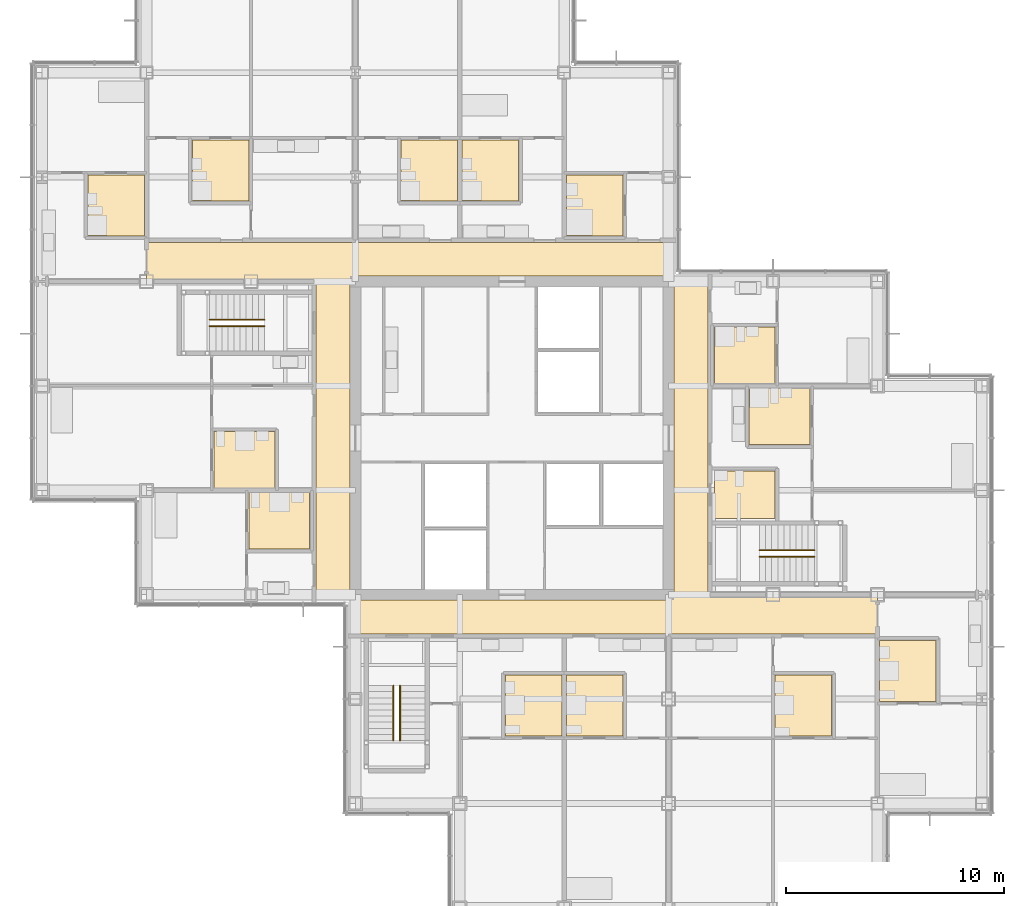
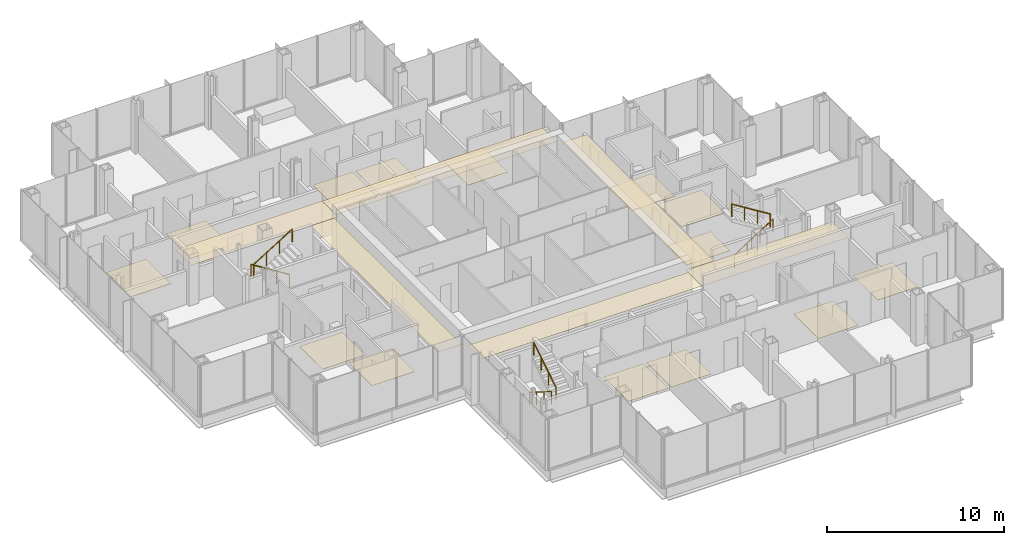
# One storey, part 18 of 20: 20 coverings, 6 railings.
"""IFC4 building model written with IfcOpenShell, lengths in metres."""

from ifc_helpers import new_model, si_unit, direction, frame, origin, origin_2d, place, context, subcontext, project, spatial, polyline, circle, outline, extrude, material, layer, layer_set, type_object, element, save


model = new_model("IFC4")

# Units and contexts
model_context = context("Model", 3, precision=1e-05, world=origin(), true_north=direction((0.0, 1.0)))
body_context = subcontext(model_context, "Body", "Model", "MODEL_VIEW")
ifc_project = project(units=[si_unit("LENGTHUNIT", "METRE"), si_unit("AREAUNIT", "SQUARE_METRE"), si_unit("VOLUMEUNIT", "CUBIC_METRE"), si_unit("PLANEANGLEUNIT", "RADIAN"), si_unit("MASSUNIT", "GRAM", prefix="KILO")], contexts=[model_context])

# Site, building, storey
site_placement = place(None, origin())
site = spatial("IfcSite", under=ifc_project, at=site_placement, CompositionType="ELEMENT")
building_placement = place(site_placement, origin())
building = spatial("IfcBuilding", under=site, at=building_placement, Name="Kvirike Care Tower", CompositionType="ELEMENT")
storey_placement = place(building_placement, frame((0.0, 0.0, 94.5)))
storey = spatial("IfcBuildingStorey", under=building, at=storey_placement, Name="L25", CompositionType="ELEMENT", Elevation=94.5)

# Coverings
ifc_material_1 = material(Name="Perforated metal ceiling tile", Category="aluminium")
ifc_layer_1 = layer(ifc_material_1, 0.014892578125)
ifc_layer_set_1 = layer_set([ifc_layer_1], Name="CORRIDOR CEILING 15")
covering_type_1 = type_object("IfcCoveringType", Name="CORRIDOR CEILING 15", PredefinedType="CEILING", material=ifc_layer_set_1)
covering_1_placement = place(storey_placement, frame((0.0, 0.0, 2.5)))
element("IfcCovering", 1, at=covering_1_placement, inside=storey, type_object=covering_type_1, Name="Corridor ceiling L25", PredefinedType="CEILING", context=body_context, shape_type="SweptSolid", body=[
    extrude(outline(polyline([(12.60009765625, 43.199951171875), (14.14990234375, 43.199951171875), (14.14990234375, 28.800048828125), (12.60009765625, 28.800048828125), (12.60009765625, 43.199951171875)])), origin(), (0.0, 0.0, 1.0), 0.014892578125),
])
covering_2_placement = place(storey_placement, frame((0.0, 0.0, 2.5)))
element("IfcCovering", 2, at=covering_2_placement, inside=storey, type_object=covering_type_1, Name="Corridor ceiling L25", PredefinedType="CEILING", context=body_context, shape_type="SweptSolid", body=[
    extrude(outline(polyline([(14.39990234375, 45.0), (14.39990234375, 43.199951171875), (4.800048828125, 43.199951171875), (4.800048828125, 45.0), (14.39990234375, 45.0)])), origin(), (0.0, 0.0, 1.0), 0.014892578125),
])
covering_3_placement = place(storey_placement, frame((0.0, 0.0, 2.5)))
element("IfcCovering", 3, at=covering_3_placement, inside=storey, type_object=covering_type_1, Name="Corridor ceiling L25", PredefinedType="CEILING", context=body_context, shape_type="SweptSolid", body=[
    extrude(outline(polyline([(14.39990234375, 27.0), (14.39990234375, 28.550048828125), (28.800048828125, 28.550048828125), (28.800048828125, 27.0), (14.39990234375, 27.0)])), origin(), (0.0, 0.0, 1.0), 0.014892578125),
])
covering_4_placement = place(storey_placement, frame((0.0, 0.0, 2.5)))
element("IfcCovering", 4, at=covering_4_placement, inside=storey, type_object=covering_type_1, Name="Corridor ceiling L25", PredefinedType="CEILING", context=body_context, shape_type="SweptSolid", body=[
    extrude(outline(polyline([(28.800048828125, 45.0), (28.800048828125, 43.449951171875), (14.39990234375, 43.449951171875), (14.39990234375, 45.0), (28.800048828125, 45.0)])), origin(), (0.0, 0.0, 1.0), 0.014892578125),
])
covering_5_placement = place(storey_placement, frame((0.0, 0.0, 2.5)))
element("IfcCovering", 5, at=covering_5_placement, inside=storey, type_object=covering_type_1, Name="Corridor ceiling L25", PredefinedType="CEILING", context=body_context, shape_type="SweptSolid", body=[
    extrude(outline(polyline([(28.800048828125, 27.0), (28.800048828125, 28.800048828125), (38.39990234375, 28.800048828125), (38.39990234375, 27.0), (28.800048828125, 27.0)])), origin(), (0.0, 0.0, 1.0), 0.014892578125),
])
covering_6_placement = place(storey_placement, frame((0.0, 0.0, 2.5)))
element("IfcCovering", 6, at=covering_6_placement, inside=storey, type_object=covering_type_1, Name="Corridor ceiling L25", PredefinedType="CEILING", context=body_context, shape_type="SweptSolid", body=[
    extrude(outline(polyline([(30.60009765625, 28.800048828125), (29.050048828125, 28.800048828125), (29.050048828125, 43.199951171875), (30.60009765625, 43.199951171875), (30.60009765625, 28.800048828125)])), origin(), (0.0, 0.0, 1.0), 0.014892578125),
])

# Railings
ifc_material_2 = material(Name="Stainless steel handrail", Category="steel")
railing_type = type_object("IfcRailingType", Name="STAIR HANDRAIL 900", PredefinedType="HANDRAIL", material=ifc_material_2)
railing_1_placement = place(storey_placement, frame((10.219970703125, 41.449951171875, 0.175048828125)))
element("IfcRailing", 7, at=railing_1_placement, inside=storey, type_object=railing_type, Name="Stair 1 handrail L25 flight 1", PredefinedType="HANDRAIL", context=body_context, shape_type="SweptSolid", body=[
    extrude(circle(Radius=0.02490234375, at=origin_2d()), frame((0.0, 0.0, 0.875), z_axis=(-0.848007534815, 0.0, 0.529984170421), x_axis=(0.0, -1.0, 0.0)), (0.0, 0.0, 1.0), 2.9716796875),
    extrude(circle(Radius=0.02001953125, at=origin_2d()), origin(), (0.0, 0.0, 1.0), 0.849853515625),
    extrude(circle(Radius=0.02001953125, at=origin_2d()), frame((-0.840087890625, 0.0, 0.52490234375)), (0.0, 0.0, 1.0), 0.849853515625),
    extrude(circle(Radius=0.02001953125, at=origin_2d()), frame((-1.679931640625, 0.0, 1.050048828125)), (0.0, 0.0, 1.0), 0.849853515625),
    extrude(circle(Radius=0.02001953125, at=origin_2d()), frame((-2.52001953125, 0.0, 1.574951171875)), (0.0, 0.0, 1.0), 0.849853515625),
])
for number, where, name in (
    (8, (7.699951171875, 41.14990234375, 1.925048828125), "Stair 1 handrail L25 flight 2"),
    (9, (32.97998046875, 30.550048828125, 0.175048828125), "Stair 2 handrail L25 flight 1"),
):
    element("IfcRailing", number, at=place(storey_placement, frame(where)), inside=storey, type_object=railing_type, Name=name, PredefinedType="HANDRAIL", context=body_context, shape_type="SweptSolid", body=[
        extrude(circle(Radius=0.02490234375, at=origin_2d()), frame((0.0, 0.0, 0.875), z_axis=(0.848007534815, 0.0, 0.529984170421), x_axis=(0.0, 1.0, 0.0)), (0.0, 0.0, 1.0), 2.9716796875),
        extrude(circle(Radius=0.02001953125, at=origin_2d()), origin(), (0.0, 0.0, 1.0), 0.849853515625),
        extrude(circle(Radius=0.02001953125, at=origin_2d()), frame((0.840087890625, 0.0, 0.52490234375)), (0.0, 0.0, 1.0), 0.849853515625),
        extrude(circle(Radius=0.02001953125, at=origin_2d()), frame((1.679931640625, 0.0, 1.050048828125)), (0.0, 0.0, 1.0), 0.849853515625),
        extrude(circle(Radius=0.02001953125, at=origin_2d()), frame((2.52001953125, 0.0, 1.574951171875)), (0.0, 0.0, 1.0), 0.849853515625),
    ])
railing_2_placement = place(storey_placement, frame((35.5, 30.85009765625, 1.925048828125)))
element("IfcRailing", 10, at=railing_2_placement, inside=storey, type_object=railing_type, Name="Stair 2 handrail L25 flight 2", PredefinedType="HANDRAIL", context=body_context, shape_type="SweptSolid", body=[
    extrude(circle(Radius=0.02490234375, at=origin_2d()), frame((0.0, 0.0, 0.875), z_axis=(-0.848007534815, 0.0, 0.529984170421), x_axis=(0.0, -1.0, 0.0)), (0.0, 0.0, 1.0), 2.9716796875),
    extrude(circle(Radius=0.02001953125, at=origin_2d()), origin(), (0.0, 0.0, 1.0), 0.849853515625),
    extrude(circle(Radius=0.02001953125, at=origin_2d()), frame((-0.840087890625, 0.0, 0.52490234375)), (0.0, 0.0, 1.0), 0.849853515625),
    extrude(circle(Radius=0.02001953125, at=origin_2d()), frame((-1.679931640625, 0.0, 1.050048828125)), (0.0, 0.0, 1.0), 0.849853515625),
    extrude(circle(Radius=0.02001953125, at=origin_2d()), frame((-2.52001953125, 0.0, 1.574951171875)), (0.0, 0.0, 1.0), 0.849853515625),
])
railing_3_placement = place(storey_placement, frame((16.14990234375, 24.6201171875, 0.175048828125)))
element("IfcRailing", 11, at=railing_3_placement, inside=storey, type_object=railing_type, Name="Stair 5 handrail L25 flight 1", PredefinedType="HANDRAIL", context=body_context, shape_type="SweptSolid", body=[
    extrude(circle(Radius=0.02490234375, at=origin_2d()), frame((0.0, 0.0, 0.875), z_axis=(0.0, -0.848007534815, 0.529984170421), x_axis=(1.0, 0.0, 0.0)), (0.0, 0.0, 1.0), 2.9716796875),
    extrude(circle(Radius=0.02001953125, at=origin_2d()), origin(), (0.0, 0.0, 1.0), 0.849853515625),
    extrude(circle(Radius=0.02001953125, at=origin_2d()), frame((0.0, -0.840087890625, 0.52490234375)), (0.0, 0.0, 1.0), 0.849853515625),
    extrude(circle(Radius=0.02001953125, at=origin_2d()), frame((0.0, -1.679931640625, 1.050048828125)), (0.0, 0.0, 1.0), 0.849853515625),
    extrude(circle(Radius=0.02001953125, at=origin_2d()), frame((0.0, -2.52001953125, 1.574951171875)), (0.0, 0.0, 1.0), 0.849853515625),
])
railing_4_placement = place(storey_placement, frame((16.449951171875, 22.10009765625, 1.925048828125)))
element("IfcRailing", 12, at=railing_4_placement, inside=storey, type_object=railing_type, Name="Stair 5 handrail L25 flight 2", PredefinedType="HANDRAIL", context=body_context, shape_type="SweptSolid", body=[
    extrude(circle(Radius=0.02490234375, at=origin_2d()), frame((0.0, 0.0, 0.875), z_axis=(0.0, 0.848007534815, 0.529984170421), x_axis=(-1.0, 0.0, 0.0)), (0.0, 0.0, 1.0), 2.9716796875),
    extrude(circle(Radius=0.02001953125, at=origin_2d()), origin(), (0.0, 0.0, 1.0), 0.849853515625),
    extrude(circle(Radius=0.02001953125, at=origin_2d()), frame((0.0, 0.840087890625, 0.52490234375)), (0.0, 0.0, 1.0), 0.849853515625),
    extrude(circle(Radius=0.02001953125, at=origin_2d()), frame((0.0, 1.679931640625, 1.050048828125)), (0.0, 0.0, 1.0), 0.849853515625),
    extrude(circle(Radius=0.02001953125, at=origin_2d()), frame((0.0, 2.52001953125, 1.574951171875)), (0.0, 0.0, 1.0), 0.849853515625),
])

# Coverings
ifc_material_3 = material(Name="Slip-resistant vinyl safety flooring on screed")
ifc_layer_2 = layer(ifc_material_3, 0.02001953125)
ifc_layer_set_2 = layer_set([ifc_layer_2], Name="WET ROOM FLOOR 20")
covering_type_2 = type_object("IfcCoveringType", Name="WET ROOM FLOOR 20", PredefinedType="FLOORING", material=ifc_layer_set_2)
covering_7_placement = place(storey_placement, origin())
element("IfcCovering", 13, at=covering_7_placement, inside=storey, type_object=covering_type_2, Name="En-suite floor L25-005", PredefinedType="FLOORING", context=body_context, shape_type="SweptSolid", body=[
    extrude(outline(polyline([(7.89990234375, 36.300048828125), (10.699951171875, 36.300048828125), (10.699951171875, 33.699951171875), (7.89990234375, 33.699951171875), (7.89990234375, 36.300048828125)])), origin(), (0.0, 0.0, 1.0), 0.02001953125),
])
covering_8_placement = place(storey_placement, origin())
element("IfcCovering", 14, at=covering_8_placement, inside=storey, type_object=covering_type_2, Name="En-suite floor L25-009", PredefinedType="FLOORING", context=body_context, shape_type="SweptSolid", body=[
    extrude(outline(polyline([(9.5, 33.5), (12.300048828125, 33.5), (12.300048828125, 30.89990234375), (9.5, 30.89990234375), (9.5, 33.5)])), origin(), (0.0, 0.0, 1.0), 0.02001953125),
])
covering_9_placement = place(storey_placement, origin())
element("IfcCovering", 15, at=covering_9_placement, inside=storey, type_object=covering_type_2, Name="En-suite floor L25-014", PredefinedType="FLOORING", context=body_context, shape_type="SweptSolid", body=[
    extrude(outline(polyline([(9.5, 49.699951171875), (9.5, 46.89990234375), (6.89990234375, 46.89990234375), (6.89990234375, 49.699951171875), (9.5, 49.699951171875)])), origin(), (0.0, 0.0, 1.0), 0.02001953125),
])
covering_10_placement = place(storey_placement, origin())
element("IfcCovering", 16, at=covering_10_placement, inside=storey, type_object=covering_type_2, Name="En-suite floor L25-018", PredefinedType="FLOORING", context=body_context, shape_type="SweptSolid", body=[
    extrude(outline(polyline([(4.699951171875, 48.10009765625), (4.699951171875, 45.300048828125), (2.10009765625, 45.300048828125), (2.10009765625, 48.10009765625), (4.699951171875, 48.10009765625)])), origin(), (0.0, 0.0, 1.0), 0.02001953125),
])
covering_11_placement = place(storey_placement, origin())
element("IfcCovering", 17, at=covering_11_placement, inside=storey, type_object=covering_type_2, Name="En-suite floor L25-024", PredefinedType="FLOORING", context=body_context, shape_type="SweptSolid", body=[
    extrude(outline(polyline([(21.300048828125, 22.300048828125), (21.300048828125, 25.10009765625), (23.89990234375, 25.10009765625), (23.89990234375, 22.300048828125), (21.300048828125, 22.300048828125)])), origin(), (0.0, 0.0, 1.0), 0.02001953125),
])
covering_12_placement = place(storey_placement, origin())
element("IfcCovering", 18, at=covering_12_placement, inside=storey, type_object=covering_type_2, Name="En-suite floor L25-027", PredefinedType="FLOORING", context=body_context, shape_type="SweptSolid", body=[
    extrude(outline(polyline([(24.10009765625, 22.300048828125), (24.10009765625, 25.10009765625), (26.699951171875, 25.10009765625), (26.699951171875, 22.300048828125), (24.10009765625, 22.300048828125)])), origin(), (0.0, 0.0, 1.0), 0.02001953125),
])
covering_13_placement = place(storey_placement, origin())
element("IfcCovering", 19, at=covering_13_placement, inside=storey, type_object=covering_type_2, Name="Assisted bathroom floor L25-031", PredefinedType="FLOORING", context=body_context, shape_type="SweptSolid", body=[
    extrude(outline(polyline([(26.699951171875, 48.10009765625), (26.699951171875, 45.300048828125), (24.10009765625, 45.300048828125), (24.10009765625, 48.10009765625), (26.699951171875, 48.10009765625)])), origin(), (0.0, 0.0, 1.0), 0.02001953125),
])
covering_14_placement = place(storey_placement, origin())
element("IfcCovering", 20, at=covering_14_placement, inside=storey, type_object=covering_type_2, Name="En-suite floor L25-034", PredefinedType="FLOORING", context=body_context, shape_type="SweptSolid", body=[
    extrude(outline(polyline([(21.89990234375, 49.699951171875), (21.89990234375, 46.89990234375), (19.300048828125, 46.89990234375), (19.300048828125, 49.699951171875), (21.89990234375, 49.699951171875)])), origin(), (0.0, 0.0, 1.0), 0.02001953125),
])
covering_15_placement = place(storey_placement, origin())
element("IfcCovering", 21, at=covering_15_placement, inside=storey, type_object=covering_type_2, Name="En-suite floor L25-037", PredefinedType="FLOORING", context=body_context, shape_type="SweptSolid", body=[
    extrude(outline(polyline([(19.10009765625, 49.699951171875), (19.10009765625, 46.89990234375), (16.5, 46.89990234375), (16.5, 49.699951171875), (19.10009765625, 49.699951171875)])), origin(), (0.0, 0.0, 1.0), 0.02001953125),
])
covering_16_placement = place(storey_placement, origin())
element("IfcCovering", 22, at=covering_16_placement, inside=storey, type_object=covering_type_2, Name="En-suite floor L25-042", PredefinedType="FLOORING", context=body_context, shape_type="SweptSolid", body=[
    extrude(outline(polyline([(33.699951171875, 22.300048828125), (33.699951171875, 25.10009765625), (36.300048828125, 25.10009765625), (36.300048828125, 22.300048828125), (33.699951171875, 22.300048828125)])), origin(), (0.0, 0.0, 1.0), 0.02001953125),
])
covering_17_placement = place(storey_placement, origin())
element("IfcCovering", 23, at=covering_17_placement, inside=storey, type_object=covering_type_2, Name="En-suite floor L25-046", PredefinedType="FLOORING", context=body_context, shape_type="SweptSolid", body=[
    extrude(outline(polyline([(38.5, 23.89990234375), (38.5, 26.699951171875), (41.10009765625, 26.699951171875), (41.10009765625, 23.89990234375), (38.5, 23.89990234375)])), origin(), (0.0, 0.0, 1.0), 0.02001953125),
])
covering_18_placement = place(storey_placement, origin())
element("IfcCovering", 24, at=covering_18_placement, inside=storey, type_object=covering_type_2, Name="Accessible WC floor L25-052", PredefinedType="FLOORING", context=body_context, shape_type="SweptSolid", body=[
    extrude(outline(polyline([(33.699951171875, 32.300048828125), (30.89990234375, 32.300048828125), (30.89990234375, 34.5), (33.699951171875, 34.5), (33.699951171875, 32.300048828125)])), origin(), (0.0, 0.0, 1.0), 0.02001953125),
])
covering_19_placement = place(storey_placement, origin())
element("IfcCovering", 25, at=covering_19_placement, inside=storey, type_object=covering_type_2, Name="En-suite floor L25-053", PredefinedType="FLOORING", context=body_context, shape_type="SweptSolid", body=[
    extrude(outline(polyline([(35.300048828125, 35.699951171875), (32.5, 35.699951171875), (32.5, 38.300048828125), (35.300048828125, 38.300048828125), (35.300048828125, 35.699951171875)])), origin(), (0.0, 0.0, 1.0), 0.02001953125),
])
covering_20_placement = place(storey_placement, origin())
element("IfcCovering", 26, at=covering_20_placement, inside=storey, type_object=covering_type_2, Name="En-suite floor L25-056", PredefinedType="FLOORING", context=body_context, shape_type="SweptSolid", body=[
    extrude(outline(polyline([(33.699951171875, 38.5), (30.89990234375, 38.5), (30.89990234375, 41.10009765625), (33.699951171875, 41.10009765625), (33.699951171875, 38.5)])), origin(), (0.0, 0.0, 1.0), 0.02001953125),
])

save(model, "model.ifc")
